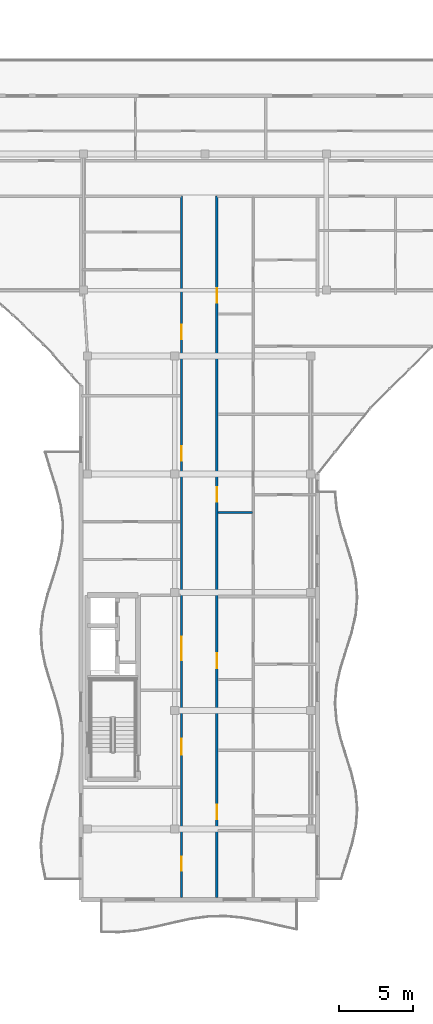
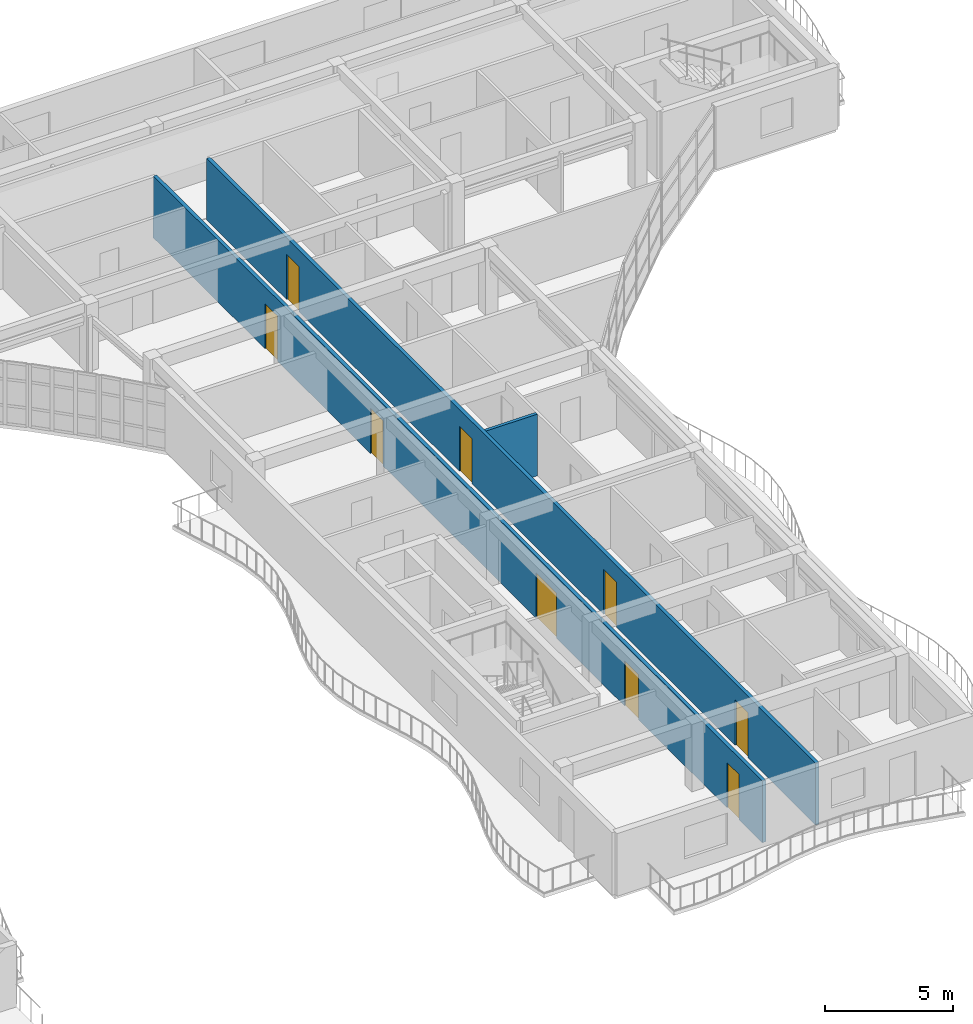
# One storey, part 31 of 68: 9 doors, 3 walls, 9 openings.
"""IFC4 building model written with IfcOpenShell, lengths in metres."""

from ifc_helpers import new_model, si_unit, direction, frame, frame_2d, origin, place, context, subcontext, project, spatial, rectangle, extrude, material, layer, layer_set, type_object, element, fill, save


model = new_model("IFC4")

# Units and contexts
model_context = context("Model", 3, precision=1e-05, world=origin(), true_north=direction((0.0, 1.0)))
body_context = subcontext(model_context, "Body", "Model", "MODEL_VIEW")
ifc_project = project(units=[si_unit("LENGTHUNIT", "METRE"), si_unit("AREAUNIT", "SQUARE_METRE"), si_unit("VOLUMEUNIT", "CUBIC_METRE"), si_unit("PLANEANGLEUNIT", "RADIAN"), si_unit("MASSUNIT", "GRAM", prefix="KILO")], contexts=[model_context])

# Site, building, storey
site_placement = place(None, origin())
site = spatial("IfcSite", under=ifc_project, at=site_placement, CompositionType="ELEMENT")
building_placement = place(site_placement, origin())
building = spatial("IfcBuilding", under=site, at=building_placement, Name="Keldmere Railside Commons", CompositionType="ELEMENT")
storey_placement = place(building_placement, frame((0.0, 0.0, 23.360107421875)))
storey = spatial("IfcBuildingStorey", under=building, at=storey_placement, Name="L07", CompositionType="ELEMENT", Elevation=23.360107421875)

# Wall, openings, doors
ifc_material_1 = material(Name="Acoustic Gypsum Board Partition", Category="gypsum")
ifc_layer_1 = layer(ifc_material_1, 0.159912109375, Name="Corridor Fire Partition 160")
ifc_layer_set_1 = layer_set([ifc_layer_1], Name="Acoustic Gypsum Board Partition")
wall_type_1 = type_object("IfcWallType", Name="Corridor Fire Partition 160", PredefinedType="PARTITIONING", material=ifc_layer_set_1)
wall_1_placement = place(storey_placement, frame((54.800048828125, 59.360107421875, 0.0), z_axis=(0.0, 0.0, 1.0), x_axis=(0.0, 1.0, 0.0)))
wall_1 = element("IfcWall", 1, at=wall_1_placement, inside=storey, type_object=wall_type_1, Name="IW-2 IW-L07-0772", PredefinedType="PARTITIONING", context=body_context, shape_type="SweptSolid", body=[
    extrude(rectangle(XDim=47.43994140625, YDim=0.159912109375, at=frame_2d((23.719970703125, 0.0))), origin(), (0.0, 0.0, 1.0), 2.934814453125),
])
opening_1_placement = place(wall_1_placement, frame((9.639892578125, 0.0, 0.0)))
opening_1 = element("IfcOpeningElement", 2, at=opening_1_placement, cuts=wall_1, Name="Opening FD-2", PredefinedType="OPENING", context=body_context, shape_type="SweptSolid", body=[
    extrude(rectangle(XDim=1.10009765625, YDim=2.14990234375, at=frame_2d((0.550048828125, 1.074951171875))), frame((0.0, 0.08984375, 0.0), z_axis=(0.0, -1.0, 0.0), x_axis=(1.0, 0.0, 0.0)), (0.0, 0.0, 1.0), 0.179931640625),
])
opening_2_placement = place(wall_1_placement, frame((16.0400390625, 0.0, 0.0)))
opening_2 = element("IfcOpeningElement", 3, at=opening_2_placement, cuts=wall_1, Name="Opening FD-4", PredefinedType="OPENING", context=body_context, shape_type="SweptSolid", body=[
    extrude(rectangle(XDim=1.60009765625, YDim=2.14990234375, at=frame_2d((0.800048828125, 1.074951171875))), frame((0.0, 0.08984375, 0.0), z_axis=(0.0, -1.0, 0.0), x_axis=(1.0, 0.0, 0.0)), (0.0, 0.0, 1.0), 0.179931640625),
])
opening_3_placement = place(wall_1_placement, frame((1.800048828125, 0.0, 0.0)))
opening_3 = element("IfcOpeningElement", 4, at=opening_3_placement, cuts=wall_1, Name="Opening ID-08", PredefinedType="OPENING", context=body_context, shape_type="SweptSolid", body=[
    extrude(rectangle(XDim=0.9599609375, YDim=2.14990234375, at=frame_2d((0.47998046875, 1.074951171875))), frame((0.0, 0.08984375, 0.0), z_axis=(0.0, -1.0, 0.0), x_axis=(1.0, 0.0, 0.0)), (0.0, 0.0, 1.0), 0.179931640625),
])
opening_4_placement = place(wall_1_placement, frame((29.544921875, 0.0, 0.0)))
opening_4 = element("IfcOpeningElement", 5, at=opening_4_placement, cuts=wall_1, Name="Opening FD-7", PredefinedType="OPENING", context=body_context, shape_type="SweptSolid", body=[
    extrude(rectangle(XDim=0.97998046875, YDim=2.14990234375, at=frame_2d((0.489990234375, 1.074951171875))), frame((0.0, 0.08984375, 0.0), z_axis=(0.0, -1.0, 0.0), x_axis=(1.0, 0.0, 0.0)), (0.0, 0.0, 1.0), 0.179931640625),
])
opening_5_placement = place(wall_1_placement, frame((37.7548828125, 0.0, 0.0)))
opening_5 = element("IfcOpeningElement", 6, at=opening_5_placement, cuts=wall_1, Name="Opening FD-7", PredefinedType="OPENING", context=body_context, shape_type="SweptSolid", body=[
    extrude(rectangle(XDim=0.97998046875, YDim=2.14990234375, at=frame_2d((0.489990234375, 1.074951171875))), frame((0.0, 0.08984375, 0.0), z_axis=(0.0, -1.0, 0.0), x_axis=(1.0, 0.0, 0.0)), (0.0, 0.0, 1.0), 0.179931640625),
])
ifc_material_2 = material(Name="Engineered Oak Timber", Category="wood")
door_type_1 = type_object("IfcDoorType", Name="Apartment Entrance Acoustic Fire Door 980x2150", OperationType="NOTDEFINED", PredefinedType="DOOR", material=ifc_material_2)
door_1_placement = place(opening_4_placement, origin())
door_1 = element("IfcDoor", 7, at=door_1_placement, inside=storey, type_object=door_type_1, Name="FD-7 IDR-L07-0696", OperationType="SINGLE_SWING_RIGHT", OverallHeight=2.14990234375, OverallWidth=0.97998046875, PredefinedType="DOOR", context=body_context, shape_type="SweptSolid", body=[
    extrude(rectangle(XDim=0.97998046875, YDim=2.14990234375, at=frame_2d((0.489990234375, 1.074951171875))), frame((0.0, 0.02490234375, 0.0), z_axis=(0.0, -1.0, 0.0), x_axis=(1.0, 0.0, 0.0)), (0.0, 0.0, 1.0), 0.050048828125),
])
fill(opening_4, door_1)
door_2_placement = place(opening_5_placement, origin())
door_2 = element("IfcDoor", 8, at=door_2_placement, inside=storey, type_object=door_type_1, Name="FD-7 IDR-L07-0699", OperationType="SINGLE_SWING_LEFT", OverallHeight=2.14990234375, OverallWidth=0.97998046875, PredefinedType="DOOR", context=body_context, shape_type="SweptSolid", body=[
    extrude(rectangle(XDim=0.97998046875, YDim=2.14990234375, at=frame_2d((0.489990234375, 1.074951171875))), frame((0.0, 0.02490234375, 0.0), z_axis=(0.0, -1.0, 0.0), x_axis=(1.0, 0.0, 0.0)), (0.0, 0.0, 1.0), 0.050048828125),
])
fill(opening_5, door_2)
ifc_material_3 = material(Name="Steel F-24 (S235)", Category="steel")
door_type_2 = type_object("IfcDoorType", Name="Corridor Cross-Compartment Double Fire Door 1600x2150", OperationType="DOUBLE_DOOR_SINGLE_SWING", PredefinedType="DOOR", material=ifc_material_3)
door_3_placement = place(opening_2_placement, origin())
door_3 = element("IfcDoor", 9, at=door_3_placement, inside=storey, type_object=door_type_2, Name="FD-4 IDR-L07-0662", OperationType="DOUBLE_DOOR_SINGLE_SWING", OverallHeight=2.14990234375, OverallWidth=1.60009765625, PredefinedType="DOOR", context=body_context, shape_type="SweptSolid", body=[
    extrude(rectangle(XDim=1.60009765625, YDim=2.14990234375, at=frame_2d((0.800048828125, 1.074951171875))), frame((0.0, 0.02490234375, 0.0), z_axis=(0.0, -1.0, 0.0), x_axis=(1.0, 0.0, 0.0)), (0.0, 0.0, 1.0), 0.050048828125),
])
fill(opening_2, door_3)
door_type_3 = type_object("IfcDoorType", Name="Firefighting Lobby Fire Door 1100x2150", OperationType="NOTDEFINED", PredefinedType="DOOR", material=ifc_material_3)
door_4_placement = place(opening_1_placement, origin())
door_4 = element("IfcDoor", 10, at=door_4_placement, inside=storey, type_object=door_type_3, Name="FD-2 IDR-L07-0661", OperationType="SINGLE_SWING_LEFT", OverallHeight=2.14990234375, OverallWidth=1.10009765625, PredefinedType="DOOR", context=body_context, shape_type="SweptSolid", body=[
    extrude(rectangle(XDim=1.10009765625, YDim=2.14990234375, at=frame_2d((0.550048828125, 1.074951171875))), frame((0.0, 0.02490234375, 0.0), z_axis=(0.0, -1.0, 0.0), x_axis=(1.0, 0.0, 0.0)), (0.0, 0.0, 1.0), 0.050048828125),
])
fill(opening_1, door_4)
door_type_4 = type_object("IfcDoorType", Name="Study & Meeting Room Door 960x2150", OperationType="NOTDEFINED", PredefinedType="DOOR", material=ifc_material_2)
door_5_placement = place(opening_3_placement, origin())
door_5 = element("IfcDoor", 11, at=door_5_placement, inside=storey, type_object=door_type_4, Name="ID-08 IDR-L07-0693", OperationType="SINGLE_SWING_LEFT", OverallHeight=2.14990234375, OverallWidth=0.9599609375, PredefinedType="DOOR", context=body_context, shape_type="SweptSolid", body=[
    extrude(rectangle(XDim=0.9599609375, YDim=2.14990234375, at=frame_2d((0.47998046875, 1.074951171875))), frame((0.0, 0.02490234375, 0.0), z_axis=(0.0, -1.0, 0.0), x_axis=(1.0, 0.0, 0.0)), (0.0, 0.0, 1.0), 0.050048828125),
])
fill(opening_3, door_5)

wall_2_placement = place(storey_placement, frame((57.199951171875, 59.360107421875, 0.0), z_axis=(0.0, 0.0, 1.0), x_axis=(0.0, 1.0, 0.0)))
wall_2 = element("IfcWall", 12, at=wall_2_placement, inside=storey, type_object=wall_type_1, Name="IW-2 IW-L07-0773", PredefinedType="PARTITIONING", context=body_context, shape_type="SweptSolid", body=[
    extrude(rectangle(XDim=47.43994140625, YDim=0.159912109375, at=frame_2d((23.719970703125, 0.0))), origin(), (0.0, 0.0, 1.0), 2.934814453125),
])
opening_6_placement = place(wall_2_placement, frame((5.2900390625, 0.0, 0.0)))
opening_6 = element("IfcOpeningElement", 13, at=opening_6_placement, cuts=wall_2, Name="Opening FD-7", PredefinedType="OPENING", context=body_context, shape_type="SweptSolid", body=[
    extrude(rectangle(XDim=0.97998046875, YDim=2.14990234375, at=frame_2d((0.489990234375, 1.074951171875))), frame((0.0, 0.08984375, 0.0), z_axis=(0.0, -1.0, 0.0), x_axis=(1.0, 0.0, 0.0)), (0.0, 0.0, 1.0), 0.179931640625),
])
opening_7_placement = place(wall_2_placement, frame((15.5, 0.0, 0.0)))
opening_7 = element("IfcOpeningElement", 14, at=opening_7_placement, cuts=wall_2, Name="Opening FD-8", PredefinedType="OPENING", context=body_context, shape_type="SweptSolid", body=[
    extrude(rectangle(XDim=1.02001953125, YDim=2.14990234375, at=frame_2d((0.510009765625, 1.074951171875))), frame((0.0, 0.08984375, 0.0), z_axis=(0.0, -1.0, 0.0), x_axis=(1.0, 0.0, 0.0)), (0.0, 0.0, 1.0), 0.179931640625),
])
opening_8_placement = place(wall_2_placement, frame((26.780029296875, 0.0, 0.0)))
opening_8 = element("IfcOpeningElement", 15, at=opening_8_placement, cuts=wall_2, Name="Opening FD-7", PredefinedType="OPENING", context=body_context, shape_type="SweptSolid", body=[
    extrude(rectangle(XDim=0.97998046875, YDim=2.14990234375, at=frame_2d((0.489990234375, 1.074951171875))), frame((0.0, 0.08984375, 0.0), z_axis=(0.0, -1.0, 0.0), x_axis=(1.0, 0.0, 0.0)), (0.0, 0.0, 1.0), 0.179931640625),
])
opening_9_placement = place(wall_2_placement, frame((40.22998046875, 0.0, 0.0)))
opening_9 = element("IfcOpeningElement", 16, at=opening_9_placement, cuts=wall_2, Name="Opening FD-7", PredefinedType="OPENING", context=body_context, shape_type="SweptSolid", body=[
    extrude(rectangle(XDim=0.97998046875, YDim=2.14990234375, at=frame_2d((0.489990234375, 1.074951171875))), frame((0.0, 0.08984375, 0.0), z_axis=(0.0, -1.0, 0.0), x_axis=(1.0, 0.0, 0.0)), (0.0, 0.0, 1.0), 0.179931640625),
])
door_type_5 = type_object("IfcDoorType", Name="Adaptable Apartment Entrance Fire Door 1020x2150", OperationType="NOTDEFINED", PredefinedType="DOOR", material=ifc_material_2)
door_6_placement = place(opening_7_placement, origin())
door_6 = element("IfcDoor", 17, at=door_6_placement, inside=storey, type_object=door_type_5, Name="FD-8 IDR-L07-0669", OperationType="SINGLE_SWING_LEFT", OverallHeight=2.14990234375, OverallWidth=1.02001953125, PredefinedType="DOOR", context=body_context, shape_type="SweptSolid", body=[
    extrude(rectangle(XDim=1.02001953125, YDim=2.14990234375, at=frame_2d((0.510009765625, 1.074951171875))), frame((0.0, 0.02490234375, 0.0), z_axis=(0.0, -1.0, 0.0), x_axis=(1.0, 0.0, 0.0)), (0.0, 0.0, 1.0), 0.050048828125),
])
fill(opening_7, door_6)
door_7_placement = place(opening_6_placement, origin())
door_7 = element("IfcDoor", 18, at=door_7_placement, inside=storey, type_object=door_type_1, Name="FD-7 IDR-L07-0665", OperationType="SINGLE_SWING_LEFT", OverallHeight=2.14990234375, OverallWidth=0.97998046875, PredefinedType="DOOR", context=body_context, shape_type="SweptSolid", body=[
    extrude(rectangle(XDim=0.97998046875, YDim=2.14990234375, at=frame_2d((0.489990234375, 1.074951171875))), frame((0.0, 0.02490234375, 0.0), z_axis=(0.0, -1.0, 0.0), x_axis=(1.0, 0.0, 0.0)), (0.0, 0.0, 1.0), 0.050048828125),
])
fill(opening_6, door_7)
door_8_placement = place(opening_8_placement, origin())
door_8 = element("IfcDoor", 19, at=door_8_placement, inside=storey, type_object=door_type_1, Name="FD-7 IDR-L07-0673", OperationType="SINGLE_SWING_LEFT", OverallHeight=2.14990234375, OverallWidth=0.97998046875, PredefinedType="DOOR", context=body_context, shape_type="SweptSolid", body=[
    extrude(rectangle(XDim=0.97998046875, YDim=2.14990234375, at=frame_2d((0.489990234375, 1.074951171875))), frame((0.0, 0.02490234375, 0.0), z_axis=(0.0, -1.0, 0.0), x_axis=(1.0, 0.0, 0.0)), (0.0, 0.0, 1.0), 0.050048828125),
])
fill(opening_8, door_8)
door_9_placement = place(opening_9_placement, origin())
door_9 = element("IfcDoor", 20, at=door_9_placement, inside=storey, type_object=door_type_1, Name="FD-7 IDR-L07-0677", OperationType="SINGLE_SWING_LEFT", OverallHeight=2.14990234375, OverallWidth=0.97998046875, PredefinedType="DOOR", context=body_context, shape_type="SweptSolid", body=[
    extrude(rectangle(XDim=0.97998046875, YDim=2.14990234375, at=frame_2d((0.489990234375, 1.074951171875))), frame((0.0, 0.02490234375, 0.0), z_axis=(0.0, -1.0, 0.0), x_axis=(1.0, 0.0, 0.0)), (0.0, 0.0, 1.0), 0.050048828125),
])
fill(opening_9, door_9)

# Wall
ifc_layer_2 = layer(ifc_material_1, 0.139892578125, Name="Wet-Room Sanitary Partition 140")
ifc_layer_set_2 = layer_set([ifc_layer_2], Name="Acoustic Gypsum Board Partition")
wall_type_2 = type_object("IfcWallType", Name="Wet-Room Sanitary Partition 140", PredefinedType="PARTITIONING", material=ifc_layer_set_2)
wall_3_placement = place(storey_placement, frame((57.280029296875, 85.389892578125, 0.0), z_axis=(0.0, 0.0, 1.0), x_axis=(1.0, 0.0, 0.0)))
element("IfcWall", 21, at=wall_3_placement, inside=storey, type_object=wall_type_2, Name="IW-5 IW-L07-0791", PredefinedType="PARTITIONING", context=body_context, shape_type="SweptSolid", body=[
    extrude(rectangle(XDim=2.320068359375, YDim=0.139892578125, at=frame_2d((1.16015625, 0.0))), origin(), (0.0, 0.0, 1.0), 2.934814453125),
])

save(model, "model.ifc")
